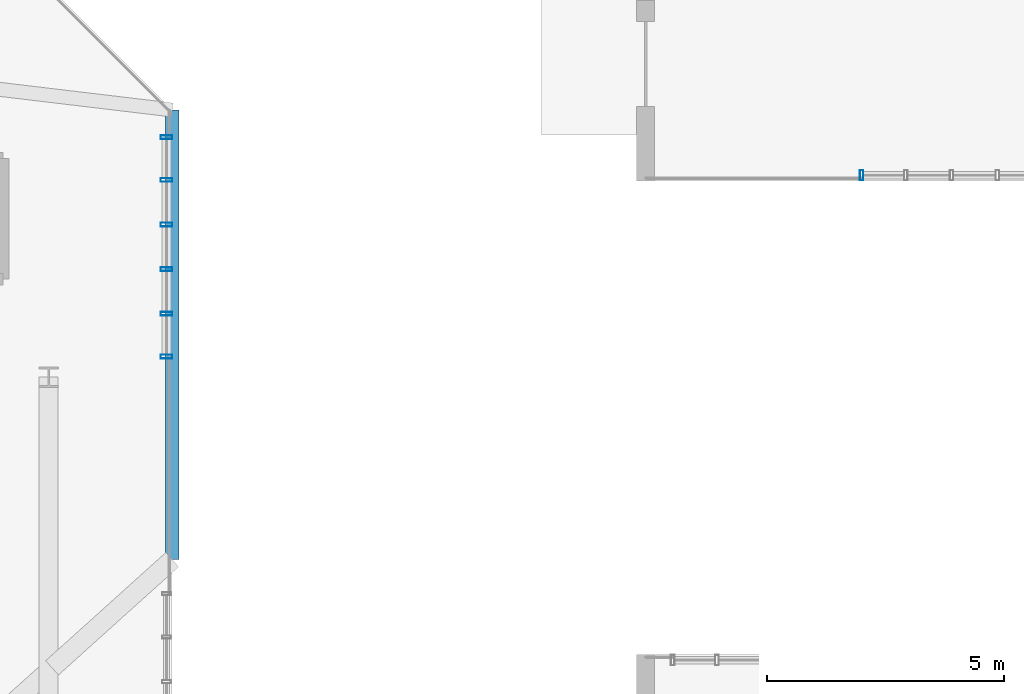
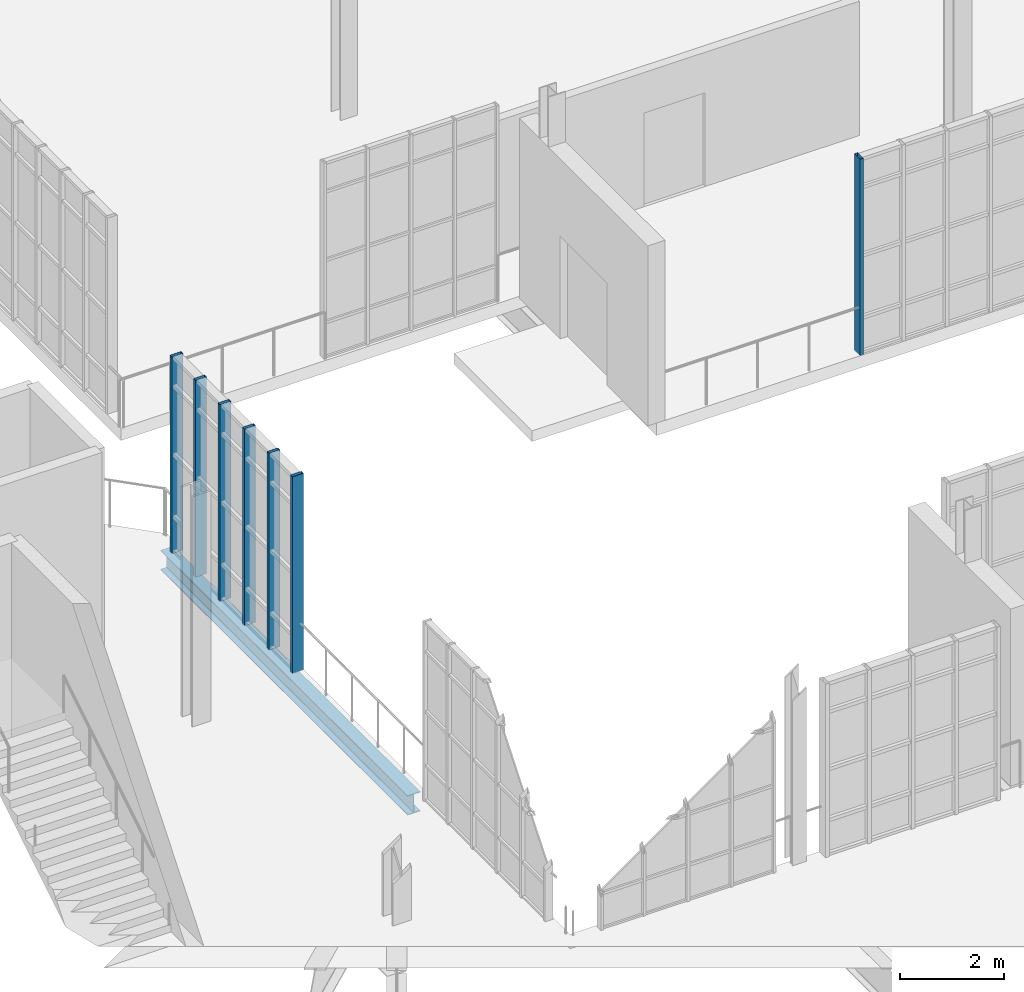
# One storey, part 68 of 189: 7 members, 1 beam, 2 elements without a shape of their own.
"""IFC4 building model written with IfcOpenShell, lengths in metres."""

from ifc_helpers import new_model, si_unit, direction, frame, origin, origin_2d, place, context, subcontext, project, spatial, hollow_rectangle, i_section, extrude, material, layer, layer_set, material_profile, profile_set, type_object, element, aggregate, save


model = new_model("IFC4")

# Units and contexts
model_context = context("Model", 3, precision=1e-05, world=origin(), true_north=direction((0.0, 1.0)))
body_context = subcontext(model_context, "Body", "Model", "MODEL_VIEW")
ifc_project = project(units=[si_unit("LENGTHUNIT", "METRE"), si_unit("AREAUNIT", "SQUARE_METRE"), si_unit("VOLUMEUNIT", "CUBIC_METRE"), si_unit("PLANEANGLEUNIT", "RADIAN"), si_unit("MASSUNIT", "GRAM", prefix="KILO"), si_unit("THERMODYNAMICTEMPERATUREUNIT", "KELVIN"), si_unit("POWERUNIT", "WATT")], contexts=[model_context])

# Site, building, storey
site_placement = place(None, origin())
site = spatial("IfcSite", under=ifc_project, at=site_placement, CompositionType="ELEMENT")
building_placement = place(site_placement, origin())
building = spatial("IfcBuilding", under=site, at=building_placement, Name="Zelmaris Science Centre", CompositionType="ELEMENT")
storey_placement = place(building_placement, origin())
storey = spatial("IfcBuildingStorey", under=building, at=storey_placement, Name="L00", CompositionType="ELEMENT", Elevation=0.0)

# Curtain wall, member
ifc_material_1 = material(Name="Anodised architectural aluminium 6063-T6", Category="aluminium")
ifc_layer_1 = layer(ifc_material_1, 0.199951171875, Name="Anodised architectural aluminium 6063-T6")
ifc_layer_set_1 = layer_set([ifc_layer_1], Name="Anodised architectural aluminium 6063-T6")
curtain_wall_type_1 = type_object("IfcCurtainWallType", Name="Curtain Wall CW-02", PredefinedType="USERDEFINED", material=ifc_layer_set_1)
curtain_wall_1_placement = place(storey_placement, origin())
curtain_wall_1 = element("IfcCurtainWall", 1, at=curtain_wall_1_placement, inside=storey, type_object=curtain_wall_type_1, Name="L00 Unitised curtain wall 70", ObjectType="GLAZED CURTAIN WALL", PredefinedType="USERDEFINED")
ifc_material_profile_1 = material_profile(ifc_material_1, hollow_rectangle(XDim=0.074951171875, YDim=0.219970703125, WallThickness=0.0048828125, at=origin_2d()), Name="ALU-MUL-75X220")
ifc_profile_set_1 = profile_set([ifc_material_profile_1], Name="Anodised architectural aluminium 6063-T6")
member_type_1 = type_object("IfcMemberType", Name="ALU-MUL-75X220", PredefinedType="MULLION", material=ifc_profile_set_1)
member_1_placement = place(storey_placement, frame((112.5634765625, 44.1201171875, -0.014892578125), z_axis=(0.0, 0.0, 1.0), x_axis=(-0.999999999976, 6.981317e-06, 0.0)))
member_1 = element("IfcMember", 2, at=member_1_placement, type_object=member_type_1, Name="CW-02 mullion 5", PredefinedType="MULLION", context=body_context, shape_type="SweptSolid", body=[
    extrude(hollow_rectangle(XDim=0.074951171875, YDim=0.219970703125, WallThickness=0.0048828125, at=origin_2d()), origin(), (0.0, 0.0, 1.0), 4.614990234375),
])
aggregate(curtain_wall_1, [member_1])

# Curtain wall, members
ifc_layer_2 = layer(ifc_material_1, 0.18994140625, Name="Anodised architectural aluminium 6063-T6")
ifc_layer_set_2 = layer_set([ifc_layer_2], Name="Anodised architectural aluminium 6063-T6")
curtain_wall_type_2 = type_object("IfcCurtainWallType", Name="Curtain Wall CW-01", PredefinedType="USERDEFINED", material=ifc_layer_set_2)
curtain_wall_2_placement = place(storey_placement, origin())
curtain_wall_2 = element("IfcCurtainWall", 3, at=curtain_wall_2_placement, inside=storey, type_object=curtain_wall_type_2, Name="L00 Unitised curtain wall 61", ObjectType="GLAZED CURTAIN WALL", PredefinedType="USERDEFINED")
ifc_material_profile_2 = material_profile(ifc_material_1, hollow_rectangle(XDim=0.080078125, YDim=0.25, WallThickness=0.0048828125, at=origin_2d()), Name="ALU-MUL-80X250")
ifc_profile_set_2 = profile_set([ifc_material_profile_2], Name="Anodised architectural aluminium 6063-T6")
member_type_2 = type_object("IfcMemberType", Name="ALU-MUL-80X250", PredefinedType="MULLION", material=ifc_profile_set_2)
member_2_placement = place(storey_placement, frame((97.8798828125, 44.924072265625, -0.014892578125), z_axis=(0.0, 0.0, 1.0), x_axis=(5.235988e-06, -0.999999999986, 0.0)))
member_2 = element("IfcMember", 4, at=member_2_placement, type_object=member_type_2, Name="CW-01 mullion 1", PredefinedType="MULLION", context=body_context, shape_type="SweptSolid", body=[
    extrude(hollow_rectangle(XDim=0.080078125, YDim=0.25, WallThickness=0.0048828125, at=origin_2d()), origin(), (0.0, 0.0, 1.0), 4.614990234375),
])
member_3_placement = place(storey_placement, frame((97.8798828125, 44.0185546875, -0.014892578125), z_axis=(0.0, 0.0, 1.0), x_axis=(5.235988e-06, -0.999999999986, 0.0)))
member_3 = element("IfcMember", 5, at=member_3_placement, type_object=member_type_2, Name="CW-01 mullion 2", PredefinedType="MULLION", context=body_context, shape_type="SweptSolid", body=[
    extrude(hollow_rectangle(XDim=0.080078125, YDim=0.25, WallThickness=0.0048828125, at=origin_2d()), origin(), (0.0, 0.0, 1.0), 4.614990234375),
])
member_4_placement = place(storey_placement, frame((97.8798828125, 43.077392578125, -0.014892578125), z_axis=(0.0, 0.0, 1.0), x_axis=(5.235988e-06, -0.999999999986, 0.0)))
member_4 = element("IfcMember", 6, at=member_4_placement, type_object=member_type_2, Name="CW-01 mullion 3", PredefinedType="MULLION", context=body_context, shape_type="SweptSolid", body=[
    extrude(hollow_rectangle(XDim=0.080078125, YDim=0.25, WallThickness=0.0048828125, at=origin_2d()), origin(), (0.0, 0.0, 1.0), 4.614990234375),
])
member_5_placement = place(storey_placement, frame((97.8798828125, 42.135986328125, -0.014892578125), z_axis=(0.0, 0.0, 1.0), x_axis=(5.235988e-06, -0.999999999986, 0.0)))
member_5 = element("IfcMember", 7, at=member_5_placement, type_object=member_type_2, Name="CW-01 mullion 4", PredefinedType="MULLION", context=body_context, shape_type="SweptSolid", body=[
    extrude(hollow_rectangle(XDim=0.080078125, YDim=0.25, WallThickness=0.0048828125, at=origin_2d()), origin(), (0.0, 0.0, 1.0), 4.614990234375),
])
member_6_placement = place(storey_placement, frame((97.8798828125, 41.194580078125, -0.014892578125), z_axis=(0.0, 0.0, 1.0), x_axis=(5.235988e-06, -0.999999999986, 0.0)))
member_6 = element("IfcMember", 8, at=member_6_placement, type_object=member_type_2, Name="CW-01 mullion 5", PredefinedType="MULLION", context=body_context, shape_type="SweptSolid", body=[
    extrude(hollow_rectangle(XDim=0.080078125, YDim=0.25, WallThickness=0.0048828125, at=origin_2d()), origin(), (0.0, 0.0, 1.0), 4.614990234375),
])
member_7_placement = place(storey_placement, frame((97.8798828125, 40.289306640625, -0.014892578125), z_axis=(0.0, 0.0, 1.0), x_axis=(5.235988e-06, -0.999999999986, 0.0)))
member_7 = element("IfcMember", 9, at=member_7_placement, type_object=member_type_2, Name="CW-01 mullion 6", PredefinedType="MULLION", context=body_context, shape_type="SweptSolid", body=[
    extrude(hollow_rectangle(XDim=0.080078125, YDim=0.25, WallThickness=0.0048828125, at=origin_2d()), origin(), (0.0, 0.0, 1.0), 4.614990234375),
])
aggregate(curtain_wall_2, [member_2, member_3, member_4, member_5, member_6, member_7])

# Beam
ifc_material_2 = material(Name="Steel ASTM A992 Grade 50", Category="steel")
ifc_material_profile_3 = material_profile(ifc_material_2, i_section(OverallWidth=0.279052734375, OverallDepth=0.4619140625, WebThickness=0.0107421875, FlangeThickness=0.017333984375, FilletRadius=0.012939453125, at=origin_2d()), Name="W18X76")
ifc_profile_set_3 = profile_set([ifc_material_profile_3], Name="Steel ASTM A992 Grade 50")
beam_type = type_object("IfcBeamType", Name="Beam SP-03 W18X76", PredefinedType="SPANDREL", material=ifc_profile_set_3)
beam_placement = place(storey_placement, frame((98.0, 36.0, -0.571044921875), z_axis=(0.0, 1.0, 0.0), x_axis=(-1.0, 0.0, 0.0)))
element("IfcBeam", 10, at=beam_placement, inside=storey, type_object=beam_type, Name="L00 Rotated facade spandrel beam 2", PredefinedType="SPANDREL", context=body_context, shape_type="SweptSolid", body=[
    extrude(i_section(OverallWidth=0.279052734375, OverallDepth=0.4619140625, WebThickness=0.0107421875, FlangeThickness=0.017333984375, FilletRadius=0.012939453125, at=origin_2d()), origin(), (0.0, 0.0, 1.0), 9.5),
])

save(model, "model.ifc")
